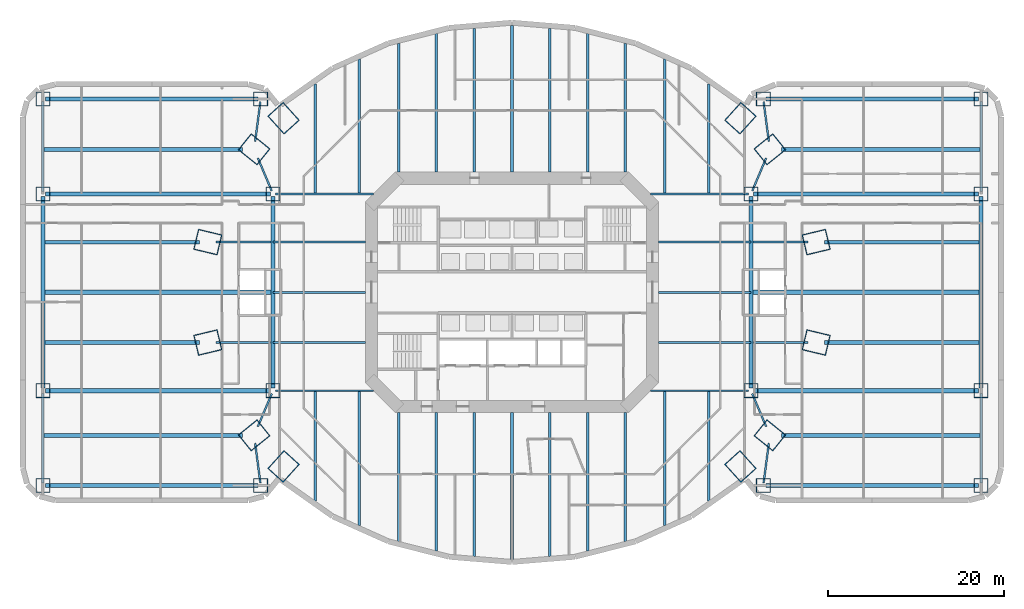
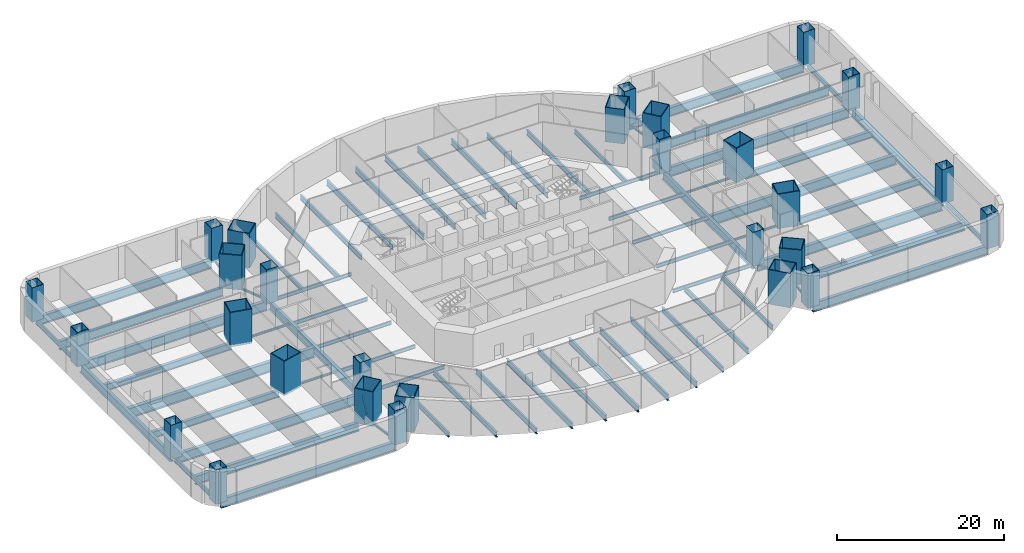
# One storey, part 1 of 11: 70 beams, 28 columns.
"""IFC4 building model written with IfcOpenShell, lengths in metres."""

from ifc_helpers import new_model, si_unit, direction, frame, origin, origin_2d, place, context, subcontext, project, spatial, rectangle, hollow_rectangle, i_section, extrude, material, material_profile, profile_set, type_object, element, save


model = new_model("IFC4")

# Units and contexts
model_context = context("Model", 3, precision=1e-05, world=origin(), true_north=direction((0.0, 1.0)))
body_context = subcontext(model_context, "Body", "Model", "MODEL_VIEW")
ifc_project = project(units=[si_unit("LENGTHUNIT", "METRE"), si_unit("AREAUNIT", "SQUARE_METRE"), si_unit("VOLUMEUNIT", "CUBIC_METRE"), si_unit("PLANEANGLEUNIT", "RADIAN"), si_unit("MASSUNIT", "GRAM", prefix="KILO")], contexts=[model_context])

# Site, building, storey
site_placement = place(None, origin())
site = spatial("IfcSite", under=ifc_project, at=site_placement, CompositionType="ELEMENT")
building_placement = place(site_placement, origin())
building = spatial("IfcBuilding", under=site, at=building_placement, Name="Marenthal Gate Tower", CompositionType="ELEMENT")
storey_placement = place(building_placement, frame((0.0, 0.0, -5.0)))
storey = spatial("IfcBuildingStorey", under=building, at=storey_placement, Name="B1", CompositionType="ELEMENT", Elevation=-5.0)

# Columns
ifc_material_1 = material(Name="Steel S460", Category="steel")
ifc_material_profile_1 = material_profile(ifc_material_1, hollow_rectangle(XDim=2.39990234375, YDim=2.800048828125, WallThickness=0.10009765625, at=origin_2d()), Name="CFT BOX 2800X2400X100")
ifc_material_2 = material(Name="Concrete 70 MPa", Category="concrete")
ifc_material_profile_2 = material_profile(ifc_material_2, rectangle(XDim=2.199951171875, YDim=2.60009765625, at=origin_2d()), Name="CFT BOX 2800X2400X100 INFILL")
ifc_profile_set_1 = profile_set([ifc_material_profile_1, ifc_material_profile_2], Name="Steel S460 shell, Concrete 70 MPa infill")
column_type_1 = type_object("IfcColumnType", Name="CFT BOX 2800X2400X100", PredefinedType="COLUMN", material=ifc_profile_set_1)
for number, where, z_axis, x_axis, name in (
    (1, (34.62158203125, 5.716064453125, -0.300048828125), (0.0, 0.0, 1.0), (0.2330465244, -0.972465586777, 0.0), "COL-B1-01"),
    (2, (29.350830078125, 16.2783203125, -0.300048828125), (0.0, 0.0, 1.0), (0.627070248118, -0.778962710228, 0.0), "COL-B1-02"),
    (3, (-29.350830078125, 16.2783203125, -0.300048828125), (0.0, 0.0, 1.0), (0.627070248118, 0.778962710228, 0.0), "COL-B1-07"),
    (4, (-34.62158203125, 5.716064453125, -0.300048828125), (0.0, 0.0, 1.0), (0.2330465244, 0.972465586777, 0.0), "COL-B1-08"),
    (5, (-34.62158203125, -5.716064453125, -0.300048828125), (0.0, 0.0, 1.0), (-0.2330465244, 0.972465586777, 0.0), "COL-B1-09"),
    (6, (-29.350830078125, -16.2783203125, -0.300048828125), (0.0, 0.0, 1.0), (-0.627070248118, 0.778962710228, 0.0), "COL-B1-10"),
    (7, (29.350830078125, -16.2783203125, -0.300048828125), (0.0, 0.0, 1.0), (-0.627070248118, -0.778962710228, 0.0), "COL-B1-15"),
    (8, (34.62158203125, -5.716064453125, -0.300048828125), (0.0, 0.0, 1.0), (-0.2330465244, -0.972465586777, 0.0), "COL-B1-16"),
    (9, (26.0, 19.818115234375, -0.300048828125), (0.0, 0.0, 1.0), (0.741874032401, -0.670539275546, 0.0), "COL-B1-17"),
    (10, (-26.0, 19.818115234375, -0.300048828125), (0.0, 0.0, 1.0), (0.741874032401, 0.670539275546, 0.0), "COL-B1-18"),
    (11, (26.0, -19.818115234375, -0.300048828125), (0.0, 0.0, 1.0), (-0.741874032401, -0.670539275546, 0.0), "COL-B1-19"),
    (12, (-26.0, -19.818115234375, -0.300048828125), (0.0, 0.0, 1.0), (-0.741874032401, 0.670539275546, 0.0), "COL-B1-20"),
):
    element("IfcColumn", number, at=place(storey_placement, frame(where, z_axis=z_axis, x_axis=x_axis)), inside=storey, type_object=column_type_1, Name=name, PredefinedType="COLUMN", context=body_context, shape_type="SweptSolid", body=[
        extrude(hollow_rectangle(XDim=2.39990234375, YDim=2.800048828125, WallThickness=0.10009765625, at=origin_2d()), origin(), (0.0, 0.0, 1.0), 5.050048828125),
    ])
ifc_material_3 = material(Name="Steel S460", Category="steel")
ifc_material_profile_3 = material_profile(ifc_material_3, hollow_rectangle(XDim=1.60009765625, YDim=1.60009765625, WallThickness=0.06005859375, at=origin_2d()), Name="CFT BOX 1600X1600X60")
ifc_material_4 = material(Name="Concrete 70 MPa", Category="concrete")
ifc_material_profile_4 = material_profile(ifc_material_4, rectangle(XDim=1.47998046875, YDim=1.47998046875, at=origin_2d()), Name="CFT BOX 1600X1600X60 INFILL")
ifc_profile_set_2 = profile_set([ifc_material_profile_3, ifc_material_profile_4], Name="Steel S460 shell, Concrete 70 MPa infill")
column_type_2 = type_object("IfcColumnType", Name="PODIUM COLUMN 1600X1600X60", PredefinedType="COLUMN", material=ifc_profile_set_2)
for number, where, z_axis, x_axis, name in (
    (13, (53.39990234375, -22.0, -0.300048828125), (0.0, 0.0, 1.0), (1.0, 0.0, 0.0), "COL-B1-31"),
    (14, (28.60009765625, -22.0, -0.300048828125), (0.0, 0.0, 1.0), (1.0, 0.0, 0.0), "COL-B1-32"),
    (15, (53.39990234375, -11.199951171875, -0.300048828125), (0.0, 0.0, 1.0), (1.0, 0.0, 0.0), "COL-B1-33"),
    (16, (27.199951171875, -11.199951171875, -0.300048828125), (0.0, 0.0, 1.0), (1.0, 0.0, 0.0), "COL-B1-34"),
    (17, (53.39990234375, 11.199951171875, -0.300048828125), (0.0, 0.0, 1.0), (1.0, 0.0, 0.0), "COL-B1-35"),
    (18, (27.199951171875, 11.199951171875, -0.300048828125), (0.0, 0.0, 1.0), (1.0, 0.0, 0.0), "COL-B1-36"),
    (19, (53.39990234375, 22.0, -0.300048828125), (0.0, 0.0, 1.0), (1.0, 0.0, 0.0), "COL-B1-37"),
    (20, (28.60009765625, 22.0, -0.300048828125), (0.0, 0.0, 1.0), (1.0, 0.0, 0.0), "COL-B1-38"),
    (21, (-53.39990234375, -22.0, -0.300048828125), (0.0, 0.0, 1.0), (1.0, 0.0, 0.0), "COL-B1-39"),
    (22, (-28.60009765625, -22.0, -0.300048828125), (0.0, 0.0, 1.0), (1.0, 0.0, 0.0), "COL-B1-40"),
    (23, (-53.39990234375, -11.199951171875, -0.300048828125), (0.0, 0.0, 1.0), (1.0, 0.0, 0.0), "COL-B1-41"),
    (24, (-27.199951171875, -11.199951171875, -0.300048828125), (0.0, 0.0, 1.0), (1.0, 0.0, 0.0), "COL-B1-42"),
    (25, (-53.39990234375, 11.199951171875, -0.300048828125), (0.0, 0.0, 1.0), (1.0, 0.0, 0.0), "COL-B1-43"),
    (26, (-27.199951171875, 11.199951171875, -0.300048828125), (0.0, 0.0, 1.0), (1.0, 0.0, 0.0), "COL-B1-44"),
    (27, (-53.39990234375, 22.0, -0.300048828125), (0.0, 0.0, 1.0), (1.0, 0.0, 0.0), "COL-B1-45"),
    (28, (-28.60009765625, 22.0, -0.300048828125), (0.0, 0.0, 1.0), (1.0, 0.0, 0.0), "COL-B1-46"),
):
    element("IfcColumn", number, at=place(storey_placement, frame(where, z_axis=z_axis, x_axis=x_axis)), inside=storey, type_object=column_type_2, Name=name, PredefinedType="COLUMN", context=body_context, shape_type="SweptSolid", body=[
        extrude(hollow_rectangle(XDim=1.60009765625, YDim=1.60009765625, WallThickness=0.06005859375, at=origin_2d()), origin(), (0.0, 0.0, 1.0), 5.050048828125),
    ])

# Beams
ifc_material_5 = material(Name="Steel S355", Category="steel")
ifc_material_profile_5 = material_profile(ifc_material_5, i_section(OverallWidth=0.419921875, OverallDepth=1.0, WebThickness=0.02001953125, FlangeThickness=0.035888671875, at=origin_2d()), Name="PLATE GIRDER 1000X420X20X36")
ifc_profile_set_3 = profile_set([ifc_material_profile_5], Name="Steel S355")
beam_type_1 = type_object("IfcBeamType", Name="PLATE GIRDER 1000X420X20X36 beam", PredefinedType="BEAM", material=ifc_profile_set_3)
for number, where, z_axis, x_axis, name in (
    (29, (35.561279296875, -5.716064453125, -0.800048828125), (1.0, 0.0, 0.0), (0.0, 1.0, 0.0), "BM-B1-109"),
    (30, (35.561279296875, 5.716064453125, -0.800048828125), (1.0, 0.0, 0.0), (0.0, 1.0, 0.0), "BM-B1-112"),
    (31, (-35.561279296875, -5.716064453125, -0.800048828125), (-1.0, 0.0, 0.0), (0.0, -1.0, 0.0), "BM-B1-128"),
    (32, (-35.561279296875, 5.716064453125, -0.800048828125), (-1.0, 0.0, 0.0), (0.0, -1.0, 0.0), "BM-B1-131"),
):
    element("IfcBeam", number, at=place(storey_placement, frame(where, z_axis=z_axis, x_axis=x_axis)), inside=storey, type_object=beam_type_1, Name=name, PredefinedType="BEAM", context=body_context, shape_type="SweptSolid", body=[
        extrude(i_section(OverallWidth=0.419921875, OverallDepth=1.0, WebThickness=0.02001953125, FlangeThickness=0.035888671875, at=origin_2d()), origin(), (0.0, 0.0, 1.0), 17.61376953125),
    ])
ifc_material_6 = material(Name="Steel S355", Category="steel")
ifc_material_profile_6 = material_profile(ifc_material_6, i_section(OverallWidth=0.449951171875, OverallDepth=1.199951171875, WebThickness=0.02197265625, FlangeThickness=0.0400390625, at=origin_2d()), Name="PLATE GIRDER 1200X450X22X40")
ifc_profile_set_4 = profile_set([ifc_material_profile_6], Name="Steel S355")
beam_type_2 = type_object("IfcBeamType", Name="PLATE GIRDER 1200X450X22X40 beam", PredefinedType="BEAM", material=ifc_profile_set_4)
for number, where, z_axis, x_axis, name in (
    (33, (53.39990234375, -10.89990234375, -0.89990234375), (0.0, 1.0, 0.0), (-1.0, 0.0, 0.0), "BM-B1-102"),
    (34, (27.199951171875, -10.89990234375, -0.89990234375), (0.0, 1.0, 0.0), (-1.0, 0.0, 0.0), "BM-B1-104"),
    (35, (-53.39990234375, -10.89990234375, -0.89990234375), (0.0, 1.0, 0.0), (-1.0, 0.0, 0.0), "BM-B1-121"),
    (36, (-27.199951171875, -10.89990234375, -0.89990234375), (0.0, 1.0, 0.0), (-1.0, 0.0, 0.0), "BM-B1-123"),
):
    element("IfcBeam", number, at=place(storey_placement, frame(where, z_axis=z_axis, x_axis=x_axis)), inside=storey, type_object=beam_type_2, Name=name, PredefinedType="BEAM", context=body_context, shape_type="SweptSolid", body=[
        extrude(i_section(OverallWidth=0.449951171875, OverallDepth=1.199951171875, WebThickness=0.02197265625, FlangeThickness=0.0400390625, at=origin_2d()), origin(), (0.0, 0.0, 1.0), 21.7998046875),
    ])
ifc_material_7 = material(Name="Steel S355", Category="steel")
ifc_material_profile_7 = material_profile(ifc_material_7, i_section(OverallWidth=0.4599609375, OverallDepth=1.300048828125, WebThickness=0.02490234375, FlangeThickness=0.044921875, at=origin_2d()), Name="PLATE GIRDER 1300X460X25X45")
ifc_profile_set_5 = profile_set([ifc_material_profile_7], Name="Steel S355")
beam_type_3 = type_object("IfcBeamType", Name="PLATE GIRDER 1300X460X25X45 beam", PredefinedType="BEAM", material=ifc_profile_set_5)
beam_1_placement = place(storey_placement, frame((28.89990234375, -22.0, -0.949951171875), z_axis=(1.0, 0.0, 0.0), x_axis=(0.0, 1.0, 0.0)))
element("IfcBeam", 37, at=beam_1_placement, inside=storey, type_object=beam_type_3, Name="BM-B1-105", PredefinedType="BEAM", context=body_context, shape_type="SweptSolid", body=[
    extrude(i_section(OverallWidth=0.4599609375, OverallDepth=1.300048828125, WebThickness=0.02490234375, FlangeThickness=0.044921875, at=origin_2d()), origin(), (0.0, 0.0, 1.0), 24.2001953125),
])
for number, where, z_axis, x_axis, name in (
    (38, (30.648193359375, -16.2783203125, -0.949951171875), (1.0, 0.0, 0.0), (0.0, 1.0, 0.0), "BM-B1-106"),
    (39, (30.648193359375, 16.2783203125, -0.949951171875), (1.0, 0.0, 0.0), (0.0, 1.0, 0.0), "BM-B1-114"),
):
    element("IfcBeam", number, at=place(storey_placement, frame(where, z_axis=z_axis, x_axis=x_axis)), inside=storey, type_object=beam_type_3, Name=name, PredefinedType="BEAM", context=body_context, shape_type="SweptSolid", body=[
        extrude(i_section(OverallWidth=0.4599609375, OverallDepth=1.300048828125, WebThickness=0.02490234375, FlangeThickness=0.044921875, at=origin_2d()), origin(), (0.0, 0.0, 1.0), 22.624755859375),
    ])
for number, where, z_axis, x_axis, name in (
    (40, (28.89990234375, 22.0, -0.949951171875), (1.0, 0.0, 0.0), (0.0, 1.0, 0.0), "BM-B1-115"),
    (41, (-28.89990234375, -22.0, -0.949951171875), (-1.0, 0.0, 0.0), (0.0, -1.0, 0.0), "BM-B1-124"),
):
    element("IfcBeam", number, at=place(storey_placement, frame(where, z_axis=z_axis, x_axis=x_axis)), inside=storey, type_object=beam_type_3, Name=name, PredefinedType="BEAM", context=body_context, shape_type="SweptSolid", body=[
        extrude(i_section(OverallWidth=0.4599609375, OverallDepth=1.300048828125, WebThickness=0.02490234375, FlangeThickness=0.044921875, at=origin_2d()), origin(), (0.0, 0.0, 1.0), 24.2001953125),
    ])
for number, where, z_axis, x_axis, name in (
    (42, (-30.648193359375, -16.2783203125, -0.949951171875), (-1.0, 0.0, 0.0), (0.0, -1.0, 0.0), "BM-B1-125"),
    (43, (-30.648193359375, 16.2783203125, -0.949951171875), (-1.0, 0.0, 0.0), (0.0, -1.0, 0.0), "BM-B1-133"),
):
    element("IfcBeam", number, at=place(storey_placement, frame(where, z_axis=z_axis, x_axis=x_axis)), inside=storey, type_object=beam_type_3, Name=name, PredefinedType="BEAM", context=body_context, shape_type="SweptSolid", body=[
        extrude(i_section(OverallWidth=0.4599609375, OverallDepth=1.300048828125, WebThickness=0.02490234375, FlangeThickness=0.044921875, at=origin_2d()), origin(), (0.0, 0.0, 1.0), 22.624755859375),
    ])
beam_2_placement = place(storey_placement, frame((-28.89990234375, 22.0, -0.949951171875), z_axis=(-1.0, 0.0, 0.0), x_axis=(0.0, -1.0, 0.0)))
element("IfcBeam", 44, at=beam_2_placement, inside=storey, type_object=beam_type_3, Name="BM-B1-134", PredefinedType="BEAM", context=body_context, shape_type="SweptSolid", body=[
    extrude(i_section(OverallWidth=0.4599609375, OverallDepth=1.300048828125, WebThickness=0.02490234375, FlangeThickness=0.044921875, at=origin_2d()), origin(), (0.0, 0.0, 1.0), 24.2001953125),
])
ifc_material_8 = material(Name="Steel S355", Category="steel")
ifc_material_profile_8 = material_profile(ifc_material_8, i_section(OverallWidth=0.47998046875, OverallDepth=1.39990234375, WebThickness=0.02490234375, FlangeThickness=0.044921875, at=origin_2d()), Name="PLATE GIRDER 1400X480X25X45")
ifc_profile_set_6 = profile_set([ifc_material_profile_8], Name="Steel S355")
beam_type_4 = type_object("IfcBeamType", Name="PLATE GIRDER 1400X480X25X45 beam", PredefinedType="BEAM", material=ifc_profile_set_6)
for number, where, z_axis, x_axis, name in (
    (45, (27.5, -11.199951171875, -1.0), (1.0, 0.0, 0.0), (0.0, 1.0, 0.0), "BM-B1-107"),
    (46, (27.5, 11.199951171875, -1.0), (1.0, 0.0, 0.0), (0.0, 1.0, 0.0), "BM-B1-113"),
    (47, (-27.5, -11.199951171875, -1.0), (-1.0, 0.0, 0.0), (0.0, -1.0, 0.0), "BM-B1-126"),
    (48, (-27.5, 11.199951171875, -1.0), (-1.0, 0.0, 0.0), (0.0, -1.0, 0.0), "BM-B1-132"),
):
    element("IfcBeam", number, at=place(storey_placement, frame(where, z_axis=z_axis, x_axis=x_axis)), inside=storey, type_object=beam_type_4, Name=name, PredefinedType="BEAM", context=body_context, shape_type="SweptSolid", body=[
        extrude(i_section(OverallWidth=0.47998046875, OverallDepth=1.39990234375, WebThickness=0.02490234375, FlangeThickness=0.044921875, at=origin_2d()), origin(), (0.0, 0.0, 1.0), 25.60009765625),
    ])
ifc_material_9 = material(Name="Steel S355", Category="steel")
ifc_material_profile_9 = material_profile(ifc_material_9, i_section(OverallWidth=0.5, OverallDepth=1.5, WebThickness=0.02490234375, FlangeThickness=0.050048828125, at=origin_2d()), Name="PLATE GIRDER 1500X500X25X50")
ifc_profile_set_7 = profile_set([ifc_material_profile_9], Name="Steel S355")
beam_type_5 = type_object("IfcBeamType", Name="PLATE GIRDER 1500X500X25X50 beam", PredefinedType="BEAM", material=ifc_profile_set_7)
for number, where, z_axis, x_axis, name in (
    (49, (27.425048828125, 0.0, -1.050048828125), (1.0, 0.0, 0.0), (0.0, 1.0, 0.0), "BM-B1-110"),
    (50, (-27.425048828125, 0.0, -1.050048828125), (-1.0, 0.0, 0.0), (0.0, -1.0, 0.0), "BM-B1-129"),
):
    element("IfcBeam", number, at=place(storey_placement, frame(where, z_axis=z_axis, x_axis=x_axis)), inside=storey, type_object=beam_type_5, Name=name, PredefinedType="BEAM", context=body_context, shape_type="SweptSolid", body=[
        extrude(i_section(OverallWidth=0.5, OverallDepth=1.5, WebThickness=0.02490234375, FlangeThickness=0.050048828125, at=origin_2d()), origin(), (0.0, 0.0, 1.0), 25.75),
    ])
ifc_material_10 = material(Name="Steel S355", Category="steel")
ifc_material_profile_10 = material_profile(ifc_material_10, i_section(OverallWidth=0.202880859375, OverallDepth=0.302001953125, WebThickness=0.007568359375, FlangeThickness=0.01318359375, FilletRadius=0.0126953125, at=origin_2d()), Name="W310X60")
ifc_profile_set_8 = profile_set([ifc_material_profile_10], Name="Steel S355")
beam_type_6 = type_object("IfcBeamType", Name="W310X60 beam", PredefinedType="BEAM", material=ifc_profile_set_8)
for number, where, z_axis, x_axis, name in (
    (51, (27.425048828125, -5.716064453125, -0.450927734375), (1.0, 0.0, 0.0), (0.0, 1.0, 0.0), "BM-B1-108"),
    (52, (27.425048828125, 5.716064453125, -0.450927734375), (1.0, 0.0, 0.0), (0.0, 1.0, 0.0), "BM-B1-111"),
):
    element("IfcBeam", number, at=place(storey_placement, frame(where, z_axis=z_axis, x_axis=x_axis)), inside=storey, type_object=beam_type_6, Name=name, PredefinedType="BEAM", context=body_context, shape_type="SweptSolid", body=[
        extrude(i_section(OverallWidth=0.202880859375, OverallDepth=0.302001953125, WebThickness=0.007568359375, FlangeThickness=0.01318359375, FilletRadius=0.0126953125, at=origin_2d()), origin(), (0.0, 0.0, 1.0), 6.2568359375),
    ])
beam_3_placement = place(storey_placement, frame((27.34375, 11.53955078125, -0.450927734375), z_axis=(0.390030578719, 0.920801904681, 0.0), x_axis=(-0.920801904681, 0.390030578719, 0.0)))
element("IfcBeam", 53, at=beam_3_placement, inside=storey, type_object=beam_type_6, Name="BM-B1-116", PredefinedType="BEAM", context=body_context, shape_type="SweptSolid", body=[
    extrude(i_section(OverallWidth=0.202880859375, OverallDepth=0.302001953125, WebThickness=0.007568359375, FlangeThickness=0.01318359375, FilletRadius=0.0126953125, at=origin_2d()), origin(), (0.0, 0.0, 1.0), 4.057373046875),
])
beam_4_placement = place(storey_placement, frame((29.233154296875, 17.17578125, -0.450927734375), z_axis=(-0.130135880417, 0.991496168741, 0.0), x_axis=(-0.991496168741, -0.130135880417, 0.0)))
element("IfcBeam", 54, at=beam_4_placement, inside=storey, type_object=beam_type_6, Name="BM-B1-117", PredefinedType="BEAM", context=body_context, shape_type="SweptSolid", body=[
    extrude(i_section(OverallWidth=0.202880859375, OverallDepth=0.302001953125, WebThickness=0.007568359375, FlangeThickness=0.01318359375, FilletRadius=0.0126953125, at=origin_2d()), origin(), (0.0, 0.0, 1.0), 4.558837890625),
])
beam_5_placement = place(storey_placement, frame((27.34375, -11.53955078125, -0.450927734375), z_axis=(0.390030578719, -0.920801904681, 0.0), x_axis=(0.920801904681, 0.390030578719, 0.0)))
element("IfcBeam", 55, at=beam_5_placement, inside=storey, type_object=beam_type_6, Name="BM-B1-118", PredefinedType="BEAM", context=body_context, shape_type="SweptSolid", body=[
    extrude(i_section(OverallWidth=0.202880859375, OverallDepth=0.302001953125, WebThickness=0.007568359375, FlangeThickness=0.01318359375, FilletRadius=0.0126953125, at=origin_2d()), origin(), (0.0, 0.0, 1.0), 4.057373046875),
])
beam_6_placement = place(storey_placement, frame((29.233154296875, -17.17578125, -0.450927734375), z_axis=(-0.130135880417, -0.991496168741, 0.0), x_axis=(0.991496168741, -0.130135880417, 0.0)))
element("IfcBeam", 56, at=beam_6_placement, inside=storey, type_object=beam_type_6, Name="BM-B1-119", PredefinedType="BEAM", context=body_context, shape_type="SweptSolid", body=[
    extrude(i_section(OverallWidth=0.202880859375, OverallDepth=0.302001953125, WebThickness=0.007568359375, FlangeThickness=0.01318359375, FilletRadius=0.0126953125, at=origin_2d()), origin(), (0.0, 0.0, 1.0), 4.558837890625),
])
for number, where, z_axis, x_axis, name in (
    (57, (-27.425048828125, -5.716064453125, -0.450927734375), (-1.0, 0.0, 0.0), (0.0, -1.0, 0.0), "BM-B1-127"),
    (58, (-27.425048828125, 5.716064453125, -0.450927734375), (-1.0, 0.0, 0.0), (0.0, -1.0, 0.0), "BM-B1-130"),
):
    element("IfcBeam", number, at=place(storey_placement, frame(where, z_axis=z_axis, x_axis=x_axis)), inside=storey, type_object=beam_type_6, Name=name, PredefinedType="BEAM", context=body_context, shape_type="SweptSolid", body=[
        extrude(i_section(OverallWidth=0.202880859375, OverallDepth=0.302001953125, WebThickness=0.007568359375, FlangeThickness=0.01318359375, FilletRadius=0.0126953125, at=origin_2d()), origin(), (0.0, 0.0, 1.0), 6.2568359375),
    ])
beam_7_placement = place(storey_placement, frame((-27.34375, 11.53955078125, -0.450927734375), z_axis=(-0.390030578719, 0.920801904681, 0.0), x_axis=(-0.920801904681, -0.390030578719, 0.0)))
element("IfcBeam", 59, at=beam_7_placement, inside=storey, type_object=beam_type_6, Name="BM-B1-135", PredefinedType="BEAM", context=body_context, shape_type="SweptSolid", body=[
    extrude(i_section(OverallWidth=0.202880859375, OverallDepth=0.302001953125, WebThickness=0.007568359375, FlangeThickness=0.01318359375, FilletRadius=0.0126953125, at=origin_2d()), origin(), (0.0, 0.0, 1.0), 4.057373046875),
])
beam_8_placement = place(storey_placement, frame((-29.233154296875, 17.17578125, -0.450927734375), z_axis=(0.130135880417, 0.991496168741, 0.0), x_axis=(-0.991496168741, 0.130135880417, 0.0)))
element("IfcBeam", 60, at=beam_8_placement, inside=storey, type_object=beam_type_6, Name="BM-B1-136", PredefinedType="BEAM", context=body_context, shape_type="SweptSolid", body=[
    extrude(i_section(OverallWidth=0.202880859375, OverallDepth=0.302001953125, WebThickness=0.007568359375, FlangeThickness=0.01318359375, FilletRadius=0.0126953125, at=origin_2d()), origin(), (0.0, 0.0, 1.0), 4.558837890625),
])
beam_9_placement = place(storey_placement, frame((-27.34375, -11.53955078125, -0.450927734375), z_axis=(-0.390030578719, -0.920801904681, 0.0), x_axis=(0.920801904681, -0.390030578719, 0.0)))
element("IfcBeam", 61, at=beam_9_placement, inside=storey, type_object=beam_type_6, Name="BM-B1-137", PredefinedType="BEAM", context=body_context, shape_type="SweptSolid", body=[
    extrude(i_section(OverallWidth=0.202880859375, OverallDepth=0.302001953125, WebThickness=0.007568359375, FlangeThickness=0.01318359375, FilletRadius=0.0126953125, at=origin_2d()), origin(), (0.0, 0.0, 1.0), 4.057373046875),
])
beam_10_placement = place(storey_placement, frame((-29.233154296875, -17.17578125, -0.450927734375), z_axis=(0.130135880417, -0.991496168741, 0.0), x_axis=(0.991496168741, 0.130135880417, 0.0)))
element("IfcBeam", 62, at=beam_10_placement, inside=storey, type_object=beam_type_6, Name="BM-B1-138", PredefinedType="BEAM", context=body_context, shape_type="SweptSolid", body=[
    extrude(i_section(OverallWidth=0.202880859375, OverallDepth=0.302001953125, WebThickness=0.007568359375, FlangeThickness=0.01318359375, FilletRadius=0.0126953125, at=origin_2d()), origin(), (0.0, 0.0, 1.0), 4.558837890625),
])
ifc_material_11 = material(Name="Steel S355", Category="steel")
ifc_material_profile_11 = material_profile(ifc_material_11, i_section(OverallWidth=0.2099609375, OverallDepth=0.535888671875, WebThickness=0.010986328125, FlangeThickness=0.017333984375, FilletRadius=0.0126953125, at=origin_2d()), Name="W530X101")
ifc_profile_set_9 = profile_set([ifc_material_profile_11], Name="Steel S355")
beam_type_7 = type_object("IfcBeamType", Name="W530X101 beam", PredefinedType="BEAM", material=ifc_profile_set_9)
for number, where, z_axis, x_axis, name in (
    (63, (16.699951171875, 0.0, -0.568115234375), (1.0, 0.0, 0.0), (0.0, 1.0, 0.0), "BM-B1-139"),
    (64, (-16.699951171875, 0.0, -0.568115234375), (-1.0, 0.0, 0.0), (0.0, -1.0, 0.0), "BM-B1-140"),
    (65, (16.699951171875, 5.716064453125, -0.568115234375), (1.0, 0.0, 0.0), (0.0, 1.0, 0.0), "BM-B1-141"),
    (66, (-16.699951171875, 5.716064453125, -0.568115234375), (-1.0, 0.0, 0.0), (0.0, -1.0, 0.0), "BM-B1-142"),
    (67, (16.699951171875, -5.716064453125, -0.568115234375), (1.0, 0.0, 0.0), (0.0, 1.0, 0.0), "BM-B1-143"),
    (68, (-16.699951171875, -5.716064453125, -0.568115234375), (-1.0, 0.0, 0.0), (0.0, -1.0, 0.0), "BM-B1-144"),
):
    element("IfcBeam", number, at=place(storey_placement, frame(where, z_axis=z_axis, x_axis=x_axis)), inside=storey, type_object=beam_type_7, Name=name, PredefinedType="BEAM", context=body_context, shape_type="SweptSolid", body=[
        extrude(i_section(OverallWidth=0.2099609375, OverallDepth=0.535888671875, WebThickness=0.010986328125, FlangeThickness=0.017333984375, FilletRadius=0.0126953125, at=origin_2d()), origin(), (0.0, 0.0, 1.0), 10.5),
    ])
for number, where, z_axis, x_axis, name in (
    (69, (15.7900390625, 11.199951171875, -0.568115234375), (1.0, 0.0, 0.0), (0.0, 1.0, 0.0), "BM-B1-145"),
    (70, (-15.7900390625, 11.199951171875, -0.568115234375), (-1.0, 0.0, 0.0), (0.0, -1.0, 0.0), "BM-B1-146"),
    (71, (15.7900390625, -11.199951171875, -0.568115234375), (1.0, 0.0, 0.0), (0.0, 1.0, 0.0), "BM-B1-147"),
    (72, (-15.7900390625, -11.199951171875, -0.568115234375), (-1.0, 0.0, 0.0), (0.0, -1.0, 0.0), "BM-B1-148"),
):
    element("IfcBeam", number, at=place(storey_placement, frame(where, z_axis=z_axis, x_axis=x_axis)), inside=storey, type_object=beam_type_7, Name=name, PredefinedType="BEAM", context=body_context, shape_type="SweptSolid", body=[
        extrude(i_section(OverallWidth=0.2099609375, OverallDepth=0.535888671875, WebThickness=0.010986328125, FlangeThickness=0.017333984375, FilletRadius=0.0126953125, at=origin_2d()), origin(), (0.0, 0.0, 1.0), 11.10986328125),
    ])
ifc_material_12 = material(Name="Steel S355", Category="steel")
ifc_material_profile_12 = material_profile(ifc_material_12, i_section(OverallWidth=0.25390625, OverallDepth=0.68310546875, WebThickness=0.012451171875, FlangeThickness=0.018798828125, FilletRadius=0.01513671875, at=origin_2d()), Name="W690X140")
ifc_profile_set_10 = profile_set([ifc_material_profile_12], Name="Steel S355")
beam_type_8 = type_object("IfcBeamType", Name="W690X140 beam", PredefinedType="BEAM", material=ifc_profile_set_10)
for number, where, z_axis, x_axis, name in (
    (73, (53.39990234375, -21.699951171875, -0.6416015625), (0.0, 1.0, 0.0), (-1.0, 0.0, 0.0), "BM-B1-101"),
    (74, (53.39990234375, 11.5, -0.6416015625), (0.0, 1.0, 0.0), (-1.0, 0.0, 0.0), "BM-B1-103"),
    (75, (-53.39990234375, -21.699951171875, -0.6416015625), (0.0, 1.0, 0.0), (-1.0, 0.0, 0.0), "BM-B1-120"),
    (76, (-53.39990234375, 11.5, -0.6416015625), (0.0, 1.0, 0.0), (-1.0, 0.0, 0.0), "BM-B1-122"),
):
    element("IfcBeam", number, at=place(storey_placement, frame(where, z_axis=z_axis, x_axis=x_axis)), inside=storey, type_object=beam_type_8, Name=name, PredefinedType="BEAM", context=body_context, shape_type="SweptSolid", body=[
        extrude(i_section(OverallWidth=0.25390625, OverallDepth=0.68310546875, WebThickness=0.012451171875, FlangeThickness=0.018798828125, FilletRadius=0.01513671875, at=origin_2d()), origin(), (0.0, 0.0, 1.0), 10.199951171875),
    ])
for number, where, z_axis, x_axis, name in (
    (77, (22.39990234375, 11.304931640625, -0.6416015625), (0.0, 1.0, 0.0), (-1.0, 0.0, 0.0), "BM-B1-165"),
    (78, (22.39990234375, -11.304931640625, -0.6416015625), (0.0, -1.0, 0.0), (1.0, 0.0, 0.0), "BM-B1-166"),
    (79, (-22.39990234375, 11.304931640625, -0.6416015625), (0.0, 1.0, 0.0), (-1.0, 0.0, 0.0), "BM-B1-169"),
    (80, (-22.39990234375, -11.304931640625, -0.6416015625), (0.0, -1.0, 0.0), (1.0, 0.0, 0.0), "BM-B1-170"),
):
    element("IfcBeam", number, at=place(storey_placement, frame(where, z_axis=z_axis, x_axis=x_axis)), inside=storey, type_object=beam_type_8, Name=name, PredefinedType="BEAM", context=body_context, shape_type="SweptSolid", body=[
        extrude(i_section(OverallWidth=0.25390625, OverallDepth=0.68310546875, WebThickness=0.012451171875, FlangeThickness=0.018798828125, FilletRadius=0.01513671875, at=origin_2d()), origin(), (0.0, 0.0, 1.0), 12.435302734375),
    ])
ifc_material_13 = material(Name="Steel S355", Category="steel")
ifc_material_profile_13 = material_profile(ifc_material_13, i_section(OverallWidth=0.26708984375, OverallDepth=0.75390625, WebThickness=0.01318359375, FlangeThickness=0.01708984375, FilletRadius=0.0166015625, at=origin_2d()), Name="W760X147")
ifc_profile_set_11 = profile_set([ifc_material_profile_13], Name="Steel S355")
beam_type_9 = type_object("IfcBeamType", Name="W760X147 beam", PredefinedType="BEAM", material=ifc_profile_set_11)
for number, where, z_axis, x_axis, name in (
    (81, (-12.89990234375, 13.699951171875, -0.677001953125), (0.0, 1.0, 0.0), (-1.0, 0.0, 0.0), "BM-B1-149"),
    (82, (-12.89990234375, -13.699951171875, -0.677001953125), (0.0, -1.0, 0.0), (1.0, 0.0, 0.0), "BM-B1-150"),
    (83, (12.89990234375, 13.699951171875, -0.677001953125), (0.0, 1.0, 0.0), (-1.0, 0.0, 0.0), "BM-B1-161"),
    (84, (12.89990234375, -13.699951171875, -0.677001953125), (0.0, -1.0, 0.0), (1.0, 0.0, 0.0), "BM-B1-162"),
):
    element("IfcBeam", number, at=place(storey_placement, frame(where, z_axis=z_axis, x_axis=x_axis)), inside=storey, type_object=beam_type_9, Name=name, PredefinedType="BEAM", context=body_context, shape_type="SweptSolid", body=[
        extrude(i_section(OverallWidth=0.26708984375, OverallDepth=0.75390625, WebThickness=0.01318359375, FlangeThickness=0.01708984375, FilletRadius=0.0166015625, at=origin_2d()), origin(), (0.0, 0.0, 1.0), 14.642333984375),
    ])
ifc_material_14 = material(Name="Steel S355", Category="steel")
ifc_material_profile_14 = material_profile(ifc_material_14, i_section(OverallWidth=0.26708984375, OverallDepth=0.761962890625, WebThickness=0.014404296875, FlangeThickness=0.021484375, FilletRadius=0.0166015625, at=origin_2d()), Name="W760X173")
ifc_profile_set_12 = profile_set([ifc_material_profile_14], Name="Steel S355")
beam_type_10 = type_object("IfcBeamType", Name="W760X173 beam", PredefinedType="BEAM", material=ifc_profile_set_12)
for number, where, z_axis, x_axis, name in (
    (85, (17.39990234375, 11.304931640625, -0.680908203125), (0.0, 1.0, 0.0), (-1.0, 0.0, 0.0), "BM-B1-163"),
    (86, (17.39990234375, -11.304931640625, -0.680908203125), (0.0, -1.0, 0.0), (1.0, 0.0, 0.0), "BM-B1-164"),
    (87, (-17.39990234375, 11.304931640625, -0.680908203125), (0.0, 1.0, 0.0), (-1.0, 0.0, 0.0), "BM-B1-167"),
    (88, (-17.39990234375, -11.304931640625, -0.680908203125), (0.0, -1.0, 0.0), (1.0, 0.0, 0.0), "BM-B1-168"),
):
    element("IfcBeam", number, at=place(storey_placement, frame(where, z_axis=z_axis, x_axis=x_axis)), inside=storey, type_object=beam_type_10, Name=name, PredefinedType="BEAM", context=body_context, shape_type="SweptSolid", body=[
        extrude(i_section(OverallWidth=0.26708984375, OverallDepth=0.761962890625, WebThickness=0.014404296875, FlangeThickness=0.021484375, FilletRadius=0.0166015625, at=origin_2d()), origin(), (0.0, 0.0, 1.0), 15.227783203125),
    ])
ifc_material_15 = material(Name="Steel S355", Category="steel")
ifc_material_profile_15 = material_profile(ifc_material_15, i_section(OverallWidth=0.2919921875, OverallDepth=0.841064453125, WebThickness=0.0146484375, FlangeThickness=0.021728515625, FilletRadius=0.017822265625, at=origin_2d()), Name="W840X193")
ifc_profile_set_13 = profile_set([ifc_material_profile_15], Name="Steel S355")
beam_type_11 = type_object("IfcBeamType", Name="W840X193 beam", PredefinedType="BEAM", material=ifc_profile_set_13)
for number, where, z_axis, x_axis, name in (
    (89, (-8.60009765625, 13.699951171875, -0.720458984375), (0.0, 1.0, 0.0), (-1.0, 0.0, 0.0), "BM-B1-151"),
    (90, (-8.60009765625, -13.699951171875, -0.720458984375), (0.0, -1.0, 0.0), (1.0, 0.0, 0.0), "BM-B1-152"),
):
    element("IfcBeam", number, at=place(storey_placement, frame(where, z_axis=z_axis, x_axis=x_axis)), inside=storey, type_object=beam_type_11, Name=name, PredefinedType="BEAM", context=body_context, shape_type="SweptSolid", body=[
        extrude(i_section(OverallWidth=0.2919921875, OverallDepth=0.841064453125, WebThickness=0.0146484375, FlangeThickness=0.021728515625, FilletRadius=0.017822265625, at=origin_2d()), origin(), (0.0, 0.0, 1.0), 15.735107421875),
    ])
for number, where, z_axis, x_axis, name in (
    (91, (-4.300048828125, 13.699951171875, -0.720458984375), (0.0, 1.0, 0.0), (-1.0, 0.0, 0.0), "BM-B1-153"),
    (92, (-4.300048828125, -13.699951171875, -0.720458984375), (0.0, -1.0, 0.0), (1.0, 0.0, 0.0), "BM-B1-154"),
):
    element("IfcBeam", number, at=place(storey_placement, frame(where, z_axis=z_axis, x_axis=x_axis)), inside=storey, type_object=beam_type_11, Name=name, PredefinedType="BEAM", context=body_context, shape_type="SweptSolid", body=[
        extrude(i_section(OverallWidth=0.2919921875, OverallDepth=0.841064453125, WebThickness=0.0146484375, FlangeThickness=0.021728515625, FilletRadius=0.017822265625, at=origin_2d()), origin(), (0.0, 0.0, 1.0), 16.343994140625),
    ])
for number, where, z_axis, x_axis, name in (
    (93, (0.0, 13.699951171875, -0.720458984375), (0.0, 1.0, 0.0), (-1.0, 0.0, 0.0), "BM-B1-155"),
    (94, (0.0, -13.699951171875, -0.720458984375), (0.0, -1.0, 0.0), (1.0, 0.0, 0.0), "BM-B1-156"),
):
    element("IfcBeam", number, at=place(storey_placement, frame(where, z_axis=z_axis, x_axis=x_axis)), inside=storey, type_object=beam_type_11, Name=name, PredefinedType="BEAM", context=body_context, shape_type="SweptSolid", body=[
        extrude(i_section(OverallWidth=0.2919921875, OverallDepth=0.841064453125, WebThickness=0.0146484375, FlangeThickness=0.021728515625, FilletRadius=0.017822265625, at=origin_2d()), origin(), (0.0, 0.0, 1.0), 16.69873046875),
    ])
for number, where, z_axis, x_axis, name in (
    (95, (4.300048828125, 13.699951171875, -0.720458984375), (0.0, 1.0, 0.0), (-1.0, 0.0, 0.0), "BM-B1-157"),
    (96, (4.300048828125, -13.699951171875, -0.720458984375), (0.0, -1.0, 0.0), (1.0, 0.0, 0.0), "BM-B1-158"),
):
    element("IfcBeam", number, at=place(storey_placement, frame(where, z_axis=z_axis, x_axis=x_axis)), inside=storey, type_object=beam_type_11, Name=name, PredefinedType="BEAM", context=body_context, shape_type="SweptSolid", body=[
        extrude(i_section(OverallWidth=0.2919921875, OverallDepth=0.841064453125, WebThickness=0.0146484375, FlangeThickness=0.021728515625, FilletRadius=0.017822265625, at=origin_2d()), origin(), (0.0, 0.0, 1.0), 16.343994140625),
    ])
for number, where, z_axis, x_axis, name in (
    (97, (8.60009765625, 13.699951171875, -0.720458984375), (0.0, 1.0, 0.0), (-1.0, 0.0, 0.0), "BM-B1-159"),
    (98, (8.60009765625, -13.699951171875, -0.720458984375), (0.0, -1.0, 0.0), (1.0, 0.0, 0.0), "BM-B1-160"),
):
    element("IfcBeam", number, at=place(storey_placement, frame(where, z_axis=z_axis, x_axis=x_axis)), inside=storey, type_object=beam_type_11, Name=name, PredefinedType="BEAM", context=body_context, shape_type="SweptSolid", body=[
        extrude(i_section(OverallWidth=0.2919921875, OverallDepth=0.841064453125, WebThickness=0.0146484375, FlangeThickness=0.021728515625, FilletRadius=0.017822265625, at=origin_2d()), origin(), (0.0, 0.0, 1.0), 15.735107421875),
    ])

save(model, "model.ifc")
